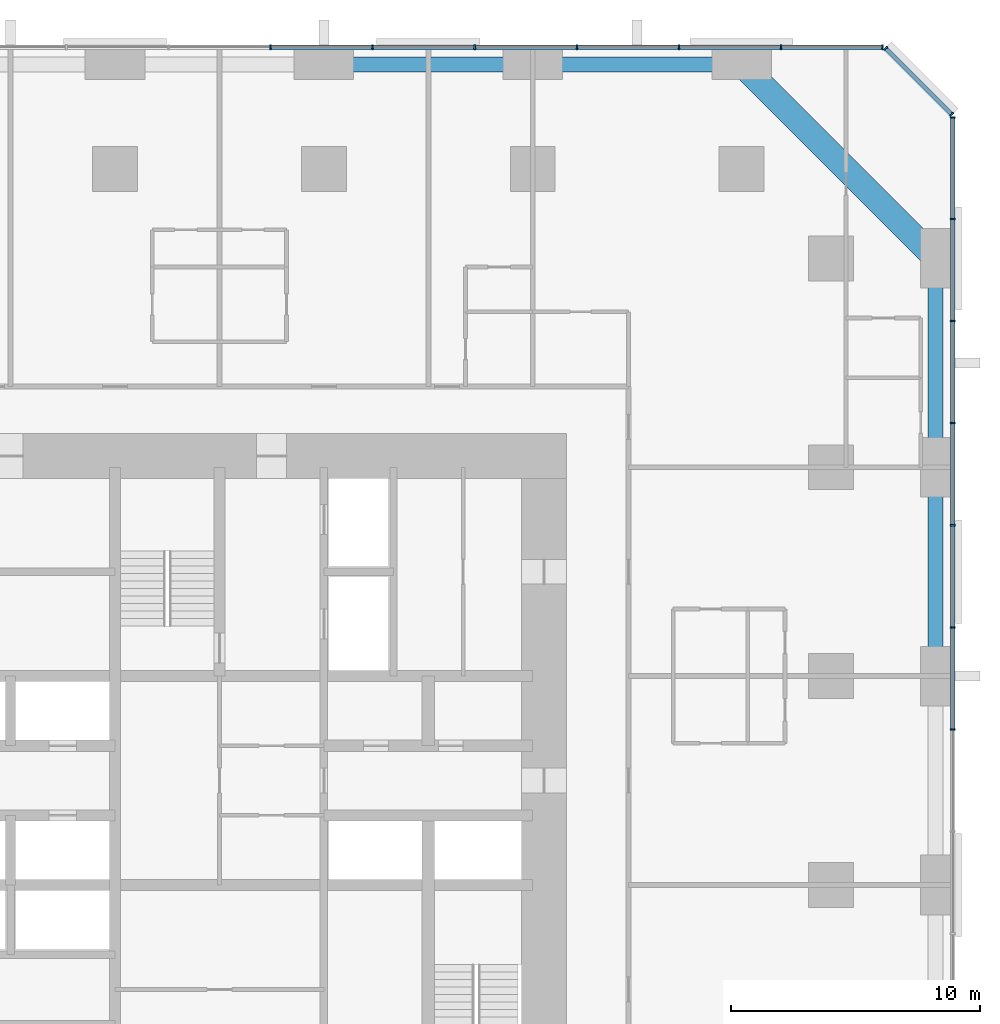
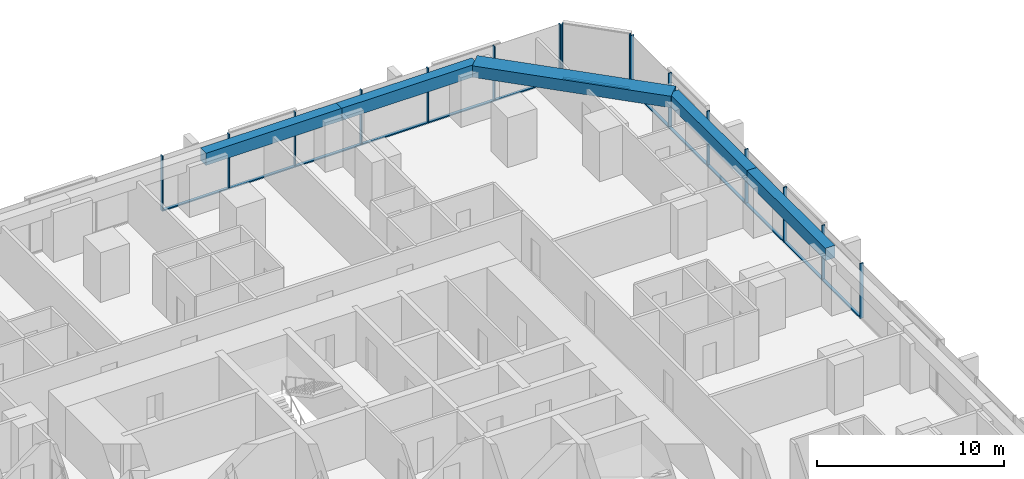
# One storey, part 8 of 17: 29 members, 5 beams, 3 elements without a shape of their own.
"""IFC4 building model written with IfcOpenShell, lengths in metres."""

from ifc_helpers import new_model, si_unit, direction, frame, origin, origin_2d, place, context, subcontext, project, spatial, rectangle, extrude, material, material_profile, profile_set, type_object, element, aggregate, save


model = new_model("IFC4")

# Units and contexts
model_context = context("Model", 3, precision=1e-05, world=origin(), true_north=direction((0.0, 1.0)))
body_context = subcontext(model_context, "Body", "Model", "MODEL_VIEW")
ifc_project = project(units=[si_unit("LENGTHUNIT", "METRE"), si_unit("AREAUNIT", "SQUARE_METRE"), si_unit("VOLUMEUNIT", "CUBIC_METRE"), si_unit("PLANEANGLEUNIT", "RADIAN"), si_unit("MASSUNIT", "GRAM", prefix="KILO")], contexts=[model_context])

# Site, building, storey
site_placement = place(None, origin())
site = spatial("IfcSite", under=ifc_project, at=site_placement, CompositionType="ELEMENT")
building_placement = place(site_placement, origin())
building = spatial("IfcBuilding", under=site, at=building_placement, Name="Dunama Terrace Hotel", CompositionType="ELEMENT")
storey_placement = place(building_placement, frame((0.0, 0.0, 34.199951171875)))
storey = spatial("IfcBuildingStorey", under=building, at=storey_placement, Name="L07", CompositionType="ELEMENT", Elevation=34.199951171875)

# Curtain wall, members
ifc_material_1 = material(Name="Aluminium curtain wall system", Category="aluminium")
curtain_wall_type = type_object("IfcCurtainWallType", Name="Unitised fritted glass wall CW-A", PredefinedType="NOTDEFINED", material=ifc_material_1)
curtain_wall_1_placement = place(storey_placement, origin())
curtain_wall_1 = element("IfcCurtainWall", 1, at=curtain_wall_1_placement, inside=storey, type_object=curtain_wall_type, Name="Unitised fritted glass wall CW-A L07", PredefinedType="NOTDEFINED")
ifc_material_2 = material(Name="Aluminium mullion", Category="aluminium")
ifc_material_profile_1 = material_profile(ifc_material_2, rectangle(XDim=0.06494140625, YDim=0.199951171875, at=origin_2d()), Name="CWA MULLION 65X200")
ifc_profile_set_1 = profile_set([ifc_material_profile_1], Name="Aluminium mullion")
member_type_1 = type_object("IfcMemberType", Name="CWA mullion 65x200", PredefinedType="MULLION", material=ifc_profile_set_1)
member_1_placement = place(storey_placement, frame((58.89990234375, 31.4541015625, 0.0), z_axis=(0.0, 0.0, 1.0), x_axis=(0.0, 1.0, 0.0)))
member_1 = element("IfcMember", 2, at=member_1_placement, type_object=member_type_1, Name="CWA mullion", PredefinedType="MULLION", context=body_context, shape_type="SweptSolid", body=[
    extrude(rectangle(XDim=0.06494140625, YDim=0.199951171875, at=origin_2d()), origin(), (0.0, 0.0, 1.0), 3.60009765625),
])
member_2_placement = place(storey_placement, frame((58.89990234375, 35.56201171875, 0.0), z_axis=(0.0, 0.0, 1.0), x_axis=(0.0, 1.0, 0.0)))
member_2 = element("IfcMember", 3, at=member_2_placement, type_object=member_type_1, Name="CWA mullion", PredefinedType="MULLION", context=body_context, shape_type="SweptSolid", body=[
    extrude(rectangle(XDim=0.06494140625, YDim=0.199951171875, at=origin_2d()), origin(), (0.0, 0.0, 1.0), 3.60009765625),
])
member_3_placement = place(storey_placement, frame((58.89990234375, 39.6689453125, 0.0), z_axis=(0.0, 0.0, 1.0), x_axis=(0.0, 1.0, 0.0)))
member_3 = element("IfcMember", 4, at=member_3_placement, type_object=member_type_1, Name="CWA mullion", PredefinedType="MULLION", context=body_context, shape_type="SweptSolid", body=[
    extrude(rectangle(XDim=0.06494140625, YDim=0.199951171875, at=origin_2d()), origin(), (0.0, 0.0, 1.0), 3.60009765625),
])
member_4_placement = place(storey_placement, frame((58.89990234375, 43.777099609375, 0.0), z_axis=(0.0, 0.0, 1.0), x_axis=(0.0, 1.0, 0.0)))
member_4 = element("IfcMember", 5, at=member_4_placement, type_object=member_type_1, Name="CWA mullion", PredefinedType="MULLION", context=body_context, shape_type="SweptSolid", body=[
    extrude(rectangle(XDim=0.06494140625, YDim=0.199951171875, at=origin_2d()), origin(), (0.0, 0.0, 1.0), 3.60009765625),
])
member_5_placement = place(storey_placement, frame((58.89990234375, 47.885009765625, 0.0), z_axis=(0.0, 0.0, 1.0), x_axis=(0.0, 1.0, 0.0)))
member_5 = element("IfcMember", 6, at=member_5_placement, type_object=member_type_1, Name="CWA mullion", PredefinedType="MULLION", context=body_context, shape_type="SweptSolid", body=[
    extrude(rectangle(XDim=0.06494140625, YDim=0.199951171875, at=origin_2d()), origin(), (0.0, 0.0, 1.0), 3.60009765625),
])
member_6_placement = place(storey_placement, frame((58.89990234375, 51.991943359375, 0.0), z_axis=(0.0, 0.0, 1.0), x_axis=(0.0, 1.0, 0.0)))
member_6 = element("IfcMember", 7, at=member_6_placement, type_object=member_type_1, Name="CWA mullion", PredefinedType="MULLION", context=body_context, shape_type="SweptSolid", body=[
    extrude(rectangle(XDim=0.06494140625, YDim=0.199951171875, at=origin_2d()), origin(), (0.0, 0.0, 1.0), 3.60009765625),
])
member_7_placement = place(storey_placement, frame((58.89990234375, 56.06689453125, 0.0), z_axis=(0.0, 0.0, 1.0), x_axis=(0.0, 1.0, 0.0)))
member_7 = element("IfcMember", 8, at=member_7_placement, type_object=member_type_1, Name="CWA mullion", PredefinedType="MULLION", context=body_context, shape_type="SweptSolid", body=[
    extrude(rectangle(XDim=0.06494140625, YDim=0.199951171875, at=origin_2d()), origin(), (0.0, 0.0, 1.0), 3.60009765625),
])

curtain_wall_2_placement = place(storey_placement, origin())
curtain_wall_2 = element("IfcCurtainWall", 9, at=curtain_wall_2_placement, inside=storey, type_object=curtain_wall_type, Name="Unitised fritted glass wall CW-A L07", PredefinedType="NOTDEFINED")
member_8_placement = place(storey_placement, frame((58.847900390625, 56.194091796875, 0.0), z_axis=(0.0, 0.0, 1.0), x_axis=(-0.707106781187, 0.707106781187, 0.0)))
member_8 = element("IfcMember", 10, at=member_8_placement, type_object=member_type_1, Name="CWA mullion", PredefinedType="MULLION", context=body_context, shape_type="SweptSolid", body=[
    extrude(rectangle(XDim=0.06494140625, YDim=0.199951171875, at=origin_2d()), origin(), (0.0, 0.0, 1.0), 3.60009765625),
])
member_9_placement = place(storey_placement, frame((56.194091796875, 58.847900390625, 0.0), z_axis=(0.0, 0.0, 1.0), x_axis=(-0.707106781187, 0.707106781187, 0.0)))
member_9 = element("IfcMember", 11, at=member_9_placement, type_object=member_type_1, Name="CWA mullion", PredefinedType="MULLION", context=body_context, shape_type="SweptSolid", body=[
    extrude(rectangle(XDim=0.06494140625, YDim=0.199951171875, at=origin_2d()), origin(), (0.0, 0.0, 1.0), 3.60009765625),
])

curtain_wall_3_placement = place(storey_placement, origin())
curtain_wall_3 = element("IfcCurtainWall", 12, at=curtain_wall_3_placement, inside=storey, type_object=curtain_wall_type, Name="Unitised fritted glass wall CW-A L07", PredefinedType="NOTDEFINED")
member_10_placement = place(storey_placement, frame((56.06689453125, 58.89990234375, 0.0), z_axis=(0.0, 0.0, 1.0), x_axis=(-1.0, 0.0, 0.0)))
member_10 = element("IfcMember", 13, at=member_10_placement, type_object=member_type_1, Name="CWA mullion", PredefinedType="MULLION", context=body_context, shape_type="SweptSolid", body=[
    extrude(rectangle(XDim=0.06494140625, YDim=0.199951171875, at=origin_2d()), origin(), (0.0, 0.0, 1.0), 3.60009765625),
])
member_11_placement = place(storey_placement, frame((51.991943359375, 58.89990234375, 0.0), z_axis=(0.0, 0.0, 1.0), x_axis=(-1.0, 0.0, 0.0)))
member_11 = element("IfcMember", 14, at=member_11_placement, type_object=member_type_1, Name="CWA mullion", PredefinedType="MULLION", context=body_context, shape_type="SweptSolid", body=[
    extrude(rectangle(XDim=0.06494140625, YDim=0.199951171875, at=origin_2d()), origin(), (0.0, 0.0, 1.0), 3.60009765625),
])
member_12_placement = place(storey_placement, frame((47.885009765625, 58.89990234375, 0.0), z_axis=(0.0, 0.0, 1.0), x_axis=(-1.0, 0.0, 0.0)))
member_12 = element("IfcMember", 15, at=member_12_placement, type_object=member_type_1, Name="CWA mullion", PredefinedType="MULLION", context=body_context, shape_type="SweptSolid", body=[
    extrude(rectangle(XDim=0.06494140625, YDim=0.199951171875, at=origin_2d()), origin(), (0.0, 0.0, 1.0), 3.60009765625),
])
member_13_placement = place(storey_placement, frame((43.777099609375, 58.89990234375, 0.0), z_axis=(0.0, 0.0, 1.0), x_axis=(-1.0, 0.0, 0.0)))
member_13 = element("IfcMember", 16, at=member_13_placement, type_object=member_type_1, Name="CWA mullion", PredefinedType="MULLION", context=body_context, shape_type="SweptSolid", body=[
    extrude(rectangle(XDim=0.06494140625, YDim=0.199951171875, at=origin_2d()), origin(), (0.0, 0.0, 1.0), 3.60009765625),
])
member_14_placement = place(storey_placement, frame((39.6689453125, 58.89990234375, 0.0), z_axis=(0.0, 0.0, 1.0), x_axis=(-1.0, 0.0, 0.0)))
member_14 = element("IfcMember", 17, at=member_14_placement, type_object=member_type_1, Name="CWA mullion", PredefinedType="MULLION", context=body_context, shape_type="SweptSolid", body=[
    extrude(rectangle(XDim=0.06494140625, YDim=0.199951171875, at=origin_2d()), origin(), (0.0, 0.0, 1.0), 3.60009765625),
])
member_15_placement = place(storey_placement, frame((35.56201171875, 58.89990234375, 0.0), z_axis=(0.0, 0.0, 1.0), x_axis=(-1.0, 0.0, 0.0)))
member_15 = element("IfcMember", 18, at=member_15_placement, type_object=member_type_1, Name="CWA mullion", PredefinedType="MULLION", context=body_context, shape_type="SweptSolid", body=[
    extrude(rectangle(XDim=0.06494140625, YDim=0.199951171875, at=origin_2d()), origin(), (0.0, 0.0, 1.0), 3.60009765625),
])
member_16_placement = place(storey_placement, frame((31.4541015625, 58.89990234375, 0.0), z_axis=(0.0, 0.0, 1.0), x_axis=(-1.0, 0.0, 0.0)))
member_16 = element("IfcMember", 19, at=member_16_placement, type_object=member_type_1, Name="CWA mullion", PredefinedType="MULLION", context=body_context, shape_type="SweptSolid", body=[
    extrude(rectangle(XDim=0.06494140625, YDim=0.199951171875, at=origin_2d()), origin(), (0.0, 0.0, 1.0), 3.60009765625),
])

# Member
ifc_material_3 = material(Name="Aluminium transom", Category="aluminium")
ifc_material_profile_2 = material_profile(ifc_material_3, rectangle(XDim=0.179931640625, YDim=0.074951171875, at=origin_2d()), Name="CWA TRANSOM 180X75")
ifc_profile_set_2 = profile_set([ifc_material_profile_2], Name="Aluminium transom")
member_type_2 = type_object("IfcMemberType", Name="CWA transom 180x75", PredefinedType="USERDEFINED", material=ifc_profile_set_2)
member_17_placement = place(storey_placement, frame((58.89990234375, 31.486083984375, 0.03759765625), z_axis=(0.0, 1.0, 0.0), x_axis=(-1.0, 0.0, 0.0)))
member_17 = element("IfcMember", 20, at=member_17_placement, type_object=member_type_2, Name="CWA transom", ObjectType="TRANSOM", PredefinedType="USERDEFINED", context=body_context, shape_type="SweptSolid", body=[
    extrude(rectangle(XDim=0.179931640625, YDim=0.074951171875, at=origin_2d()), origin(), (0.0, 0.0, 1.0), 4.04296875),
])

member_18_placement = place(storey_placement, frame((58.89990234375, 35.593994140625, 0.03759765625), z_axis=(0.0, 1.0, 0.0), x_axis=(-1.0, 0.0, 0.0)))
member_18 = element("IfcMember", 21, at=member_18_placement, type_object=member_type_2, Name="CWA transom", ObjectType="TRANSOM", PredefinedType="USERDEFINED", context=body_context, shape_type="SweptSolid", body=[
    extrude(rectangle(XDim=0.179931640625, YDim=0.074951171875, at=origin_2d()), origin(), (0.0, 0.0, 1.0), 4.04296875),
])

member_19_placement = place(storey_placement, frame((58.89990234375, 39.701904296875, 0.03759765625), z_axis=(0.0, 1.0, 0.0), x_axis=(-1.0, 0.0, 0.0)))
member_19 = element("IfcMember", 22, at=member_19_placement, type_object=member_type_2, Name="CWA transom", ObjectType="TRANSOM", PredefinedType="USERDEFINED", context=body_context, shape_type="SweptSolid", body=[
    extrude(rectangle(XDim=0.179931640625, YDim=0.074951171875, at=origin_2d()), origin(), (0.0, 0.0, 1.0), 4.0419921875),
])

member_20_placement = place(storey_placement, frame((58.89990234375, 43.80908203125, 0.03759765625), z_axis=(0.0, 1.0, 0.0), x_axis=(-1.0, 0.0, 0.0)))
member_20 = element("IfcMember", 23, at=member_20_placement, type_object=member_type_2, Name="CWA transom", ObjectType="TRANSOM", PredefinedType="USERDEFINED", context=body_context, shape_type="SweptSolid", body=[
    extrude(rectangle(XDim=0.179931640625, YDim=0.074951171875, at=origin_2d()), origin(), (0.0, 0.0, 1.0), 4.04296875),
])

member_21_placement = place(storey_placement, frame((58.89990234375, 47.9169921875, 0.03759765625), z_axis=(0.0, 1.0, 0.0), x_axis=(-1.0, 0.0, 0.0)))
member_21 = element("IfcMember", 24, at=member_21_placement, type_object=member_type_2, Name="CWA transom", ObjectType="TRANSOM", PredefinedType="USERDEFINED", context=body_context, shape_type="SweptSolid", body=[
    extrude(rectangle(XDim=0.179931640625, YDim=0.074951171875, at=origin_2d()), origin(), (0.0, 0.0, 1.0), 4.04296875),
])

member_22_placement = place(storey_placement, frame((58.89990234375, 52.02490234375, 0.03759765625), z_axis=(0.0, 1.0, 0.0), x_axis=(-1.0, 0.0, 0.0)))
member_22 = element("IfcMember", 25, at=member_22_placement, type_object=member_type_2, Name="CWA transom", ObjectType="TRANSOM", PredefinedType="USERDEFINED", context=body_context, shape_type="SweptSolid", body=[
    extrude(rectangle(XDim=0.179931640625, YDim=0.074951171875, at=origin_2d()), origin(), (0.0, 0.0, 1.0), 4.010009765625),
])

aggregate(curtain_wall_1, [member_1, member_2, member_3, member_4, member_5, member_6, member_7, member_17, member_18, member_19, member_20, member_21, member_22])

member_23_placement = place(storey_placement, frame((58.824951171875, 56.217041015625, 0.03759765625), z_axis=(-0.707106781187, 0.707106781187, 0.0), x_axis=(-0.707106781187, -0.707106781187, 0.0)))
member_23 = element("IfcMember", 26, at=member_23_placement, type_object=member_type_2, Name="CWA transom", ObjectType="TRANSOM", PredefinedType="USERDEFINED", context=body_context, shape_type="SweptSolid", body=[
    extrude(rectangle(XDim=0.179931640625, YDim=0.074951171875, at=origin_2d()), origin(), (0.0, 0.0, 1.0), 3.688232421875),
])

aggregate(curtain_wall_2, [member_8, member_9, member_23])

member_24_placement = place(storey_placement, frame((56.034912109375, 58.89990234375, 0.03759765625), z_axis=(-1.0, 0.0, 0.0), x_axis=(0.0, -1.0, 0.0)))
member_24 = element("IfcMember", 27, at=member_24_placement, type_object=member_type_2, Name="CWA transom", ObjectType="TRANSOM", PredefinedType="USERDEFINED", context=body_context, shape_type="SweptSolid", body=[
    extrude(rectangle(XDim=0.179931640625, YDim=0.074951171875, at=origin_2d()), origin(), (0.0, 0.0, 1.0), 4.010009765625),
])

member_25_placement = place(storey_placement, frame((51.9599609375, 58.89990234375, 0.03759765625), z_axis=(-1.0, 0.0, 0.0), x_axis=(0.0, -1.0, 0.0)))
member_25 = element("IfcMember", 28, at=member_25_placement, type_object=member_type_2, Name="CWA transom", ObjectType="TRANSOM", PredefinedType="USERDEFINED", context=body_context, shape_type="SweptSolid", body=[
    extrude(rectangle(XDim=0.179931640625, YDim=0.074951171875, at=origin_2d()), origin(), (0.0, 0.0, 1.0), 4.04296875),
])

member_26_placement = place(storey_placement, frame((47.85205078125, 58.89990234375, 0.03759765625), z_axis=(-1.0, 0.0, 0.0), x_axis=(0.0, -1.0, 0.0)))
member_26 = element("IfcMember", 29, at=member_26_placement, type_object=member_type_2, Name="CWA transom", ObjectType="TRANSOM", PredefinedType="USERDEFINED", context=body_context, shape_type="SweptSolid", body=[
    extrude(rectangle(XDim=0.179931640625, YDim=0.074951171875, at=origin_2d()), origin(), (0.0, 0.0, 1.0), 4.04296875),
])

member_27_placement = place(storey_placement, frame((43.743896484375, 58.89990234375, 0.03759765625), z_axis=(-1.0, 0.0, 0.0), x_axis=(0.0, -1.0, 0.0)))
member_27 = element("IfcMember", 30, at=member_27_placement, type_object=member_type_2, Name="CWA transom", ObjectType="TRANSOM", PredefinedType="USERDEFINED", context=body_context, shape_type="SweptSolid", body=[
    extrude(rectangle(XDim=0.179931640625, YDim=0.074951171875, at=origin_2d()), origin(), (0.0, 0.0, 1.0), 4.0419921875),
])

member_28_placement = place(storey_placement, frame((39.636962890625, 58.89990234375, 0.03759765625), z_axis=(-1.0, 0.0, 0.0), x_axis=(0.0, -1.0, 0.0)))
member_28 = element("IfcMember", 31, at=member_28_placement, type_object=member_type_2, Name="CWA transom", ObjectType="TRANSOM", PredefinedType="USERDEFINED", context=body_context, shape_type="SweptSolid", body=[
    extrude(rectangle(XDim=0.179931640625, YDim=0.074951171875, at=origin_2d()), origin(), (0.0, 0.0, 1.0), 4.04296875),
])

member_29_placement = place(storey_placement, frame((35.529052734375, 58.89990234375, 0.03759765625), z_axis=(-1.0, 0.0, 0.0), x_axis=(0.0, -1.0, 0.0)))
member_29 = element("IfcMember", 32, at=member_29_placement, type_object=member_type_2, Name="CWA transom", ObjectType="TRANSOM", PredefinedType="USERDEFINED", context=body_context, shape_type="SweptSolid", body=[
    extrude(rectangle(XDim=0.179931640625, YDim=0.074951171875, at=origin_2d()), origin(), (0.0, 0.0, 1.0), 4.04296875),
])

aggregate(curtain_wall_3, [member_10, member_11, member_12, member_13, member_14, member_15, member_16, member_24, member_25, member_26, member_27, member_28, member_29])

# Beams
ifc_material_4 = material(Name="Concrete C50/60", Category="concrete")
ifc_material_profile_3 = material_profile(ifc_material_4, rectangle(XDim=1.0, YDim=0.75, at=origin_2d()), Name="RC 1000x750")
ifc_profile_set_3 = profile_set([ifc_material_profile_3], Name="Concrete C50/60")
beam_type_1 = type_object("IfcBeamType", Name="Edge beam RC 1000x750", PredefinedType="SPANDREL", material=ifc_profile_set_3)
beam_placement = place(storey_placement, frame((50.39990234375, 58.199951171875, 3.22509765625), z_axis=(0.707106781187, -0.707106781187, 0.0), x_axis=(0.707106781187, 0.707106781187, 0.0)))
element("IfcBeam", 33, at=beam_placement, inside=storey, type_object=beam_type_1, Name="Corner edge beam under L08", PredefinedType="SPANDREL", context=body_context, shape_type="SweptSolid", body=[
    extrude(rectangle(XDim=1.0, YDim=0.75, at=origin_2d()), origin(), (0.0, 0.0, 1.0), 11.031005859375),
])
ifc_material_5 = material(Name="Concrete C40/50", Category="concrete")
ifc_material_profile_4 = material_profile(ifc_material_5, rectangle(XDim=0.60009765625, YDim=0.800048828125, at=origin_2d()), Name="RC 600x800")
ifc_profile_set_4 = profile_set([ifc_material_profile_4], Name="Concrete C40/50")
beam_type_2 = type_object("IfcBeamType", Name="Edge beam RC 600x800", PredefinedType="SPANDREL", material=ifc_profile_set_4)
for number, where, z_axis, x_axis, name in (
    (34, (58.199951171875, 33.60009765625, 3.199951171875), (0.0, 1.0, 0.0), (-1.0, 0.0, 0.0), "Edge beam under L08"),
    (35, (58.199951171875, 42.0, 3.199951171875), (0.0, 1.0, 0.0), (-1.0, 0.0, 0.0), "Edge beam under L08"),
    (36, (33.60009765625, 58.199951171875, 3.199951171875), (1.0, 0.0, 0.0), (0.0, 1.0, 0.0), "Edge beam under L08"),
    (37, (42.0, 58.199951171875, 3.199951171875), (1.0, 0.0, 0.0), (0.0, 1.0, 0.0), "Edge beam under L08"),
):
    element("IfcBeam", number, at=place(storey_placement, frame(where, z_axis=z_axis, x_axis=x_axis)), inside=storey, type_object=beam_type_2, Name=name, PredefinedType="SPANDREL", context=body_context, shape_type="SweptSolid", body=[
        extrude(rectangle(XDim=0.60009765625, YDim=0.800048828125, at=origin_2d()), origin(), (0.0, 0.0, 1.0), 8.39990234375),
    ])

save(model, "model.ifc")
